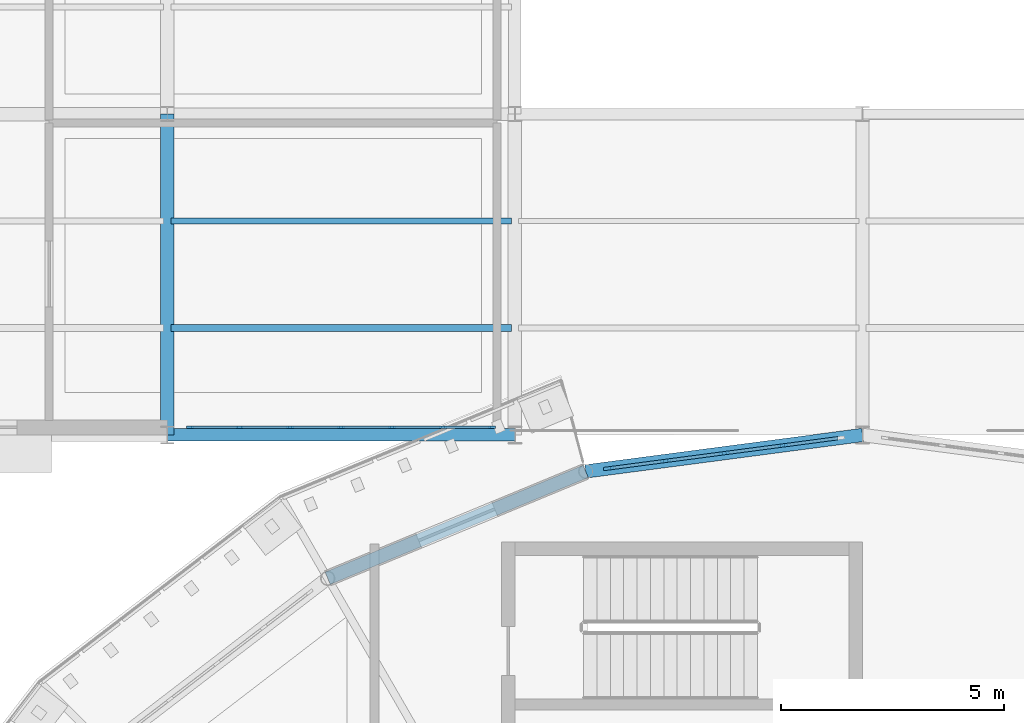
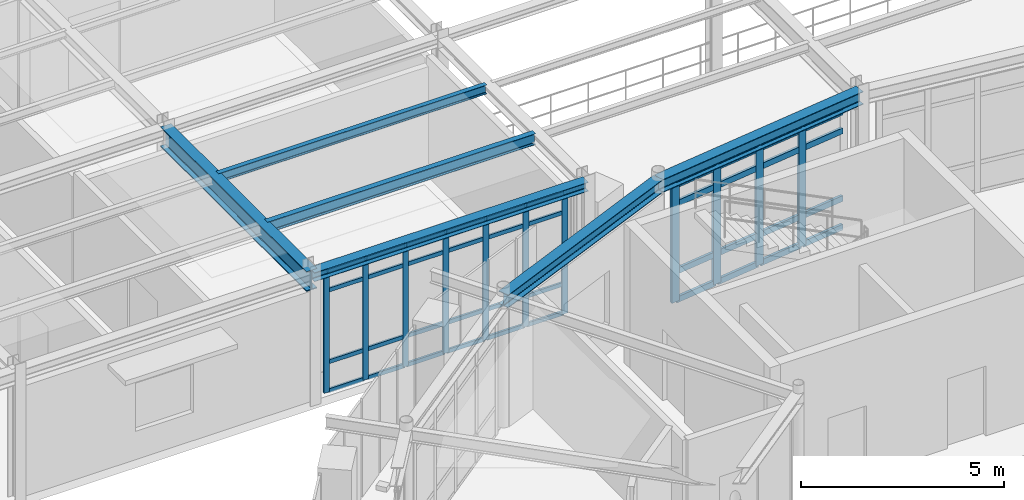
# One storey, part 50 of 90: 51 members, 6 beams, 2 elements without a shape of their own.
"""IFC4 building model written with IfcOpenShell, lengths in metres."""

from ifc_helpers import new_model, si_unit, derived_unit, direction, frame, origin, origin_2d, place, context, subcontext, project, spatial, rectangle, i_section, extrude, material, layer, layer_set, material_profile, profile_set, type_object, element, aggregate, save


model = new_model("IFC4")

# Units and contexts
model_context = context("Model", 3, precision=1e-05, world=origin(), true_north=direction((0.0, 1.0)))
body_context = subcontext(model_context, "Body", "Model", "MODEL_VIEW")
ifc_project = project(units=[si_unit("LENGTHUNIT", "METRE"), si_unit("AREAUNIT", "SQUARE_METRE"), si_unit("VOLUMEUNIT", "CUBIC_METRE"), si_unit("PLANEANGLEUNIT", "RADIAN"), si_unit("MASSUNIT", "GRAM", prefix="KILO"), derived_unit("THERMALTRANSMITTANCEUNIT", [(si_unit("POWERUNIT", "WATT"), 1), (si_unit("AREAUNIT", "SQUARE_METRE"), -1), (si_unit("THERMODYNAMICTEMPERATUREUNIT", "KELVIN"), -1)])], contexts=[model_context])

# Site, building, storey
site_placement = place(None, origin())
site = spatial("IfcSite", under=ifc_project, at=site_placement, CompositionType="ELEMENT")
building_placement = place(site_placement, origin())
building = spatial("IfcBuilding", under=site, at=building_placement, Name="Yasenodar Specialist Clinic", CompositionType="ELEMENT")
storey_placement = place(building_placement, frame((0.0, 0.0, 9.0)))
storey = spatial("IfcBuildingStorey", under=building, at=storey_placement, Name="L02", CompositionType="ELEMENT", Elevation=9.0)

# Beams
ifc_material_1 = material(Name="Steel S355", Category="steel")
ifc_material_profile_1 = material_profile(ifc_material_1, i_section(OverallWidth=0.280029296875, OverallDepth=0.27001953125, WebThickness=0.008056640625, FlangeThickness=0.012939453125, FilletRadius=0.02392578125, at=origin_2d()), Name="HEA 280")
ifc_profile_set_1 = profile_set([ifc_material_profile_1], Name="Steel S355")
beam_type_1 = type_object("IfcBeamType", Name="BM-HEA280", PredefinedType="BEAM", material=ifc_profile_set_1)
beam_1_placement = place(storey_placement, frame((65.39990234375, 82.800048828125, 3.81494140625), z_axis=(1.0, 0.0, 0.0), x_axis=(0.0, 1.0, 0.0)))
element("IfcBeam", 1, at=beam_1_placement, inside=storey, type_object=beam_type_1, Name="L02 Primary E-W Girder", PredefinedType="BEAM", context=body_context, shape_type="SweptSolid", body=[
    extrude(i_section(OverallWidth=0.280029296875, OverallDepth=0.27001953125, WebThickness=0.008056640625, FlangeThickness=0.012939453125, FilletRadius=0.02392578125, at=origin_2d()), origin(), (0.0, 0.0, 1.0), 7.800048828125),
])
ifc_material_profile_2 = material_profile(ifc_material_1, i_section(OverallWidth=0.300048828125, OverallDepth=0.389892578125, WebThickness=0.010986328125, FlangeThickness=0.01904296875, FilletRadius=0.027099609375, at=origin_2d()), Name="HEA 400")
ifc_profile_set_2 = profile_set([ifc_material_profile_2], Name="Steel S355")
beam_type_2 = type_object("IfcBeamType", Name="BM-HEA400", PredefinedType="BEAM", material=ifc_profile_set_2)
beam_2_placement = place(storey_placement, frame((81.0, 82.800048828125, 3.7548828125), z_axis=(-0.991443018138, -0.130540192224, 0.0), x_axis=(0.130540192224, -0.991443018138, 0.0)))
element("IfcBeam", 2, at=beam_2_placement, inside=storey, type_object=beam_type_2, Name="L02 Drum V1 Perimeter Ring Beam", PredefinedType="BEAM", context=body_context, shape_type="SweptSolid", body=[
    extrude(i_section(OverallWidth=0.300048828125, OverallDepth=0.389892578125, WebThickness=0.010986328125, FlangeThickness=0.01904296875, FilletRadius=0.027099609375, at=origin_2d()), origin(), (0.0, 0.0, 1.0), 6.265380859375),
])
beam_3_placement = place(storey_placement, frame((74.788330078125, 81.982177734375, 3.7548828125), z_axis=(-0.9238876519, -0.382663829839, 0.0), x_axis=(0.382663829839, -0.9238876519, 0.0)))
element("IfcBeam", 3, at=beam_3_placement, inside=storey, type_object=beam_type_2, Name="L02 Drum V1 Perimeter Ring Beam", PredefinedType="BEAM", context=body_context, shape_type="SweptSolid", body=[
    extrude(i_section(OverallWidth=0.300048828125, OverallDepth=0.389892578125, WebThickness=0.010986328125, FlangeThickness=0.01904296875, FilletRadius=0.027099609375, at=origin_2d()), origin(), (0.0, 0.0, 1.0), 6.26513671875),
])
ifc_material_profile_3 = material_profile(ifc_material_1, i_section(OverallWidth=0.300048828125, OverallDepth=0.60009765625, WebThickness=0.015380859375, FlangeThickness=0.030029296875, FilletRadius=0.027099609375, at=origin_2d()), Name="HEB 600")
ifc_profile_set_3 = profile_set([ifc_material_profile_3], Name="Steel S355")
beam_type_3 = type_object("IfcBeamType", Name="BM-HEB600", PredefinedType="BEAM", material=ifc_profile_set_3)
beam_4_placement = place(storey_placement, frame((65.39990234375, 82.800048828125, 3.64990234375), z_axis=(0.0, 1.0, 0.0), x_axis=(-1.0, 0.0, 0.0)))
element("IfcBeam", 4, at=beam_4_placement, inside=storey, type_object=beam_type_3, Name="L02 Primary N-S Girder", PredefinedType="BEAM", context=body_context, shape_type="SweptSolid", body=[
    extrude(i_section(OverallWidth=0.300048828125, OverallDepth=0.60009765625, WebThickness=0.015380859375, FlangeThickness=0.030029296875, FilletRadius=0.027099609375, at=origin_2d()), origin(), (0.0, 0.0, 1.0), 7.199951171875),
])

# Curtain wall, members
ifc_material_2 = material(Name="Bronze Anodized Aluminium and Triple Low-E Glass", Category="aluminium")
ifc_layer_1 = layer(ifc_material_2, 0.215087890625)
ifc_layer_set_1 = layer_set([ifc_layer_1], Name="Bronze Anodized Aluminium and Triple Low-E Glass")
curtain_wall_type_1 = type_object("IfcCurtainWallType", Name="CW-SYS-05", PredefinedType="USERDEFINED", material=ifc_layer_set_1)
curtain_wall_1_placement = place(storey_placement, origin())
curtain_wall_1 = element("IfcCurtainWall", 5, at=curtain_wall_1_placement, inside=storey, type_object=curtain_wall_type_1, Name="L02 Unitised Curtain Wall 156", ObjectType="UNITISED CURTAIN WALL", PredefinedType="USERDEFINED")
ifc_material_3 = material(Name="Bronze Anodized Aluminium", Category="aluminium")
ifc_material_profile_4 = material_profile(ifc_material_3, rectangle(XDim=0.06005859375, YDim=0.159912109375, at=origin_2d()), Name="CW-MULL 60x160")
ifc_profile_set_4 = profile_set([ifc_material_profile_4], Name="Bronze Anodized Aluminium")
member_type_1 = type_object("IfcMemberType", Name="CW-MULL-160", PredefinedType="MULLION", material=ifc_profile_set_4)
member_1_placement = place(storey_placement, frame((72.68994140625, 82.969970703125, 0.0), z_axis=(0.0, 0.0, 1.0), x_axis=(0.0, -1.0, 0.0)))
member_1 = element("IfcMember", 6, at=member_1_placement, type_object=member_type_1, Name="CW-05 mullion 1", PredefinedType="MULLION", context=body_context, shape_type="SweptSolid", body=[
    extrude(rectangle(XDim=0.06005859375, YDim=0.159912109375, at=origin_2d()), origin(), (0.0, 0.0, 1.0), 3.657958984375),
])
member_2_placement = place(storey_placement, frame((71.580078125, 82.969970703125, 0.0), z_axis=(0.0, 0.0, 1.0), x_axis=(0.0, -1.0, 0.0)))
member_2 = element("IfcMember", 7, at=member_2_placement, type_object=member_type_1, Name="CW-05 mullion 2", PredefinedType="MULLION", context=body_context, shape_type="SweptSolid", body=[
    extrude(rectangle(XDim=0.06005859375, YDim=0.159912109375, at=origin_2d()), origin(), (0.0, 0.0, 1.0), 3.657958984375),
])
member_3_placement = place(storey_placement, frame((70.43994140625, 82.969970703125, 0.0), z_axis=(0.0, 0.0, 1.0), x_axis=(0.0, -1.0, 0.0)))
member_3 = element("IfcMember", 8, at=member_3_placement, type_object=member_type_1, Name="CW-05 mullion 3", PredefinedType="MULLION", context=body_context, shape_type="SweptSolid", body=[
    extrude(rectangle(XDim=0.06005859375, YDim=0.159912109375, at=origin_2d()), origin(), (0.0, 0.0, 1.0), 3.657958984375),
])
member_4_placement = place(storey_placement, frame((69.300048828125, 82.969970703125, 0.0), z_axis=(0.0, 0.0, 1.0), x_axis=(0.0, -1.0, 0.0)))
member_4 = element("IfcMember", 9, at=member_4_placement, type_object=member_type_1, Name="CW-05 mullion 4", PredefinedType="MULLION", context=body_context, shape_type="SweptSolid", body=[
    extrude(rectangle(XDim=0.06005859375, YDim=0.159912109375, at=origin_2d()), origin(), (0.0, 0.0, 1.0), 3.657958984375),
])
member_5_placement = place(storey_placement, frame((68.159912109375, 82.969970703125, 0.0), z_axis=(0.0, 0.0, 1.0), x_axis=(0.0, -1.0, 0.0)))
member_5 = element("IfcMember", 10, at=member_5_placement, type_object=member_type_1, Name="CW-05 mullion 5", PredefinedType="MULLION", context=body_context, shape_type="SweptSolid", body=[
    extrude(rectangle(XDim=0.06005859375, YDim=0.159912109375, at=origin_2d()), origin(), (0.0, 0.0, 1.0), 3.657958984375),
])
member_6_placement = place(storey_placement, frame((67.02001953125, 82.969970703125, 0.0), z_axis=(0.0, 0.0, 1.0), x_axis=(0.0, -1.0, 0.0)))
member_6 = element("IfcMember", 11, at=member_6_placement, type_object=member_type_1, Name="CW-05 mullion 6", PredefinedType="MULLION", context=body_context, shape_type="SweptSolid", body=[
    extrude(rectangle(XDim=0.06005859375, YDim=0.159912109375, at=origin_2d()), origin(), (0.0, 0.0, 1.0), 3.657958984375),
])
member_7_placement = place(storey_placement, frame((65.909912109375, 82.969970703125, 0.0), z_axis=(0.0, 0.0, 1.0), x_axis=(0.0, -1.0, 0.0)))
member_7 = element("IfcMember", 12, at=member_7_placement, type_object=member_type_1, Name="CW-05 mullion 7", PredefinedType="MULLION", context=body_context, shape_type="SweptSolid", body=[
    extrude(rectangle(XDim=0.06005859375, YDim=0.159912109375, at=origin_2d()), origin(), (0.0, 0.0, 1.0), 3.657958984375),
])

ifc_layer_2 = layer(ifc_material_2, 0.1669921875)
ifc_layer_set_2 = layer_set([ifc_layer_2], Name="Bronze Anodized Aluminium and Triple Low-E Glass")
curtain_wall_type_2 = type_object("IfcCurtainWallType", Name="CW-SYS-01", PredefinedType="USERDEFINED", material=ifc_layer_set_2)
curtain_wall_2_placement = place(storey_placement, origin())
curtain_wall_2 = element("IfcCurtainWall", 13, at=curtain_wall_2_placement, inside=storey, type_object=curtain_wall_type_2, Name="L02 Unitised Curtain Wall 030", ObjectType="UNITISED CURTAIN WALL", PredefinedType="USERDEFINED")
ifc_material_profile_5 = material_profile(ifc_material_3, rectangle(XDim=0.074951171875, YDim=0.22509765625, at=origin_2d()), Name="CW-MULL 75x225")
ifc_profile_set_5 = profile_set([ifc_material_profile_5], Name="Bronze Anodized Aluminium")
member_type_2 = type_object("IfcMemberType", Name="CW-MULL-225", PredefinedType="MULLION", material=ifc_profile_set_5)
member_8_placement = place(storey_placement, frame((75.30126953125, 82.0498046875, 0.0), z_axis=(0.0, 0.0, 1.0), x_axis=(-0.13051156024, 0.991446787601, 0.0)))
member_8 = element("IfcMember", 14, at=member_8_placement, type_object=member_type_2, Name="CW-01 mullion 1", PredefinedType="MULLION", context=body_context, shape_type="SweptSolid", body=[
    extrude(rectangle(XDim=0.074951171875, YDim=0.22509765625, at=origin_2d()), origin(), (0.0, 0.0, 1.0), 3.5380859375),
])
member_9_placement = place(storey_placement, frame((76.5791015625, 82.218017578125, 0.0), z_axis=(0.0, 0.0, 1.0), x_axis=(-0.13051156024, 0.991446787601, 0.0)))
member_9 = element("IfcMember", 15, at=member_9_placement, type_object=member_type_2, Name="CW-01 mullion 2", PredefinedType="MULLION", context=body_context, shape_type="SweptSolid", body=[
    extrude(rectangle(XDim=0.074951171875, YDim=0.22509765625, at=origin_2d()), origin(), (0.0, 0.0, 1.0), 3.5380859375),
])
member_10_placement = place(storey_placement, frame((77.89404296875, 82.39111328125, 0.0), z_axis=(0.0, 0.0, 1.0), x_axis=(-0.13051156024, 0.991446787601, 0.0)))
member_10 = element("IfcMember", 16, at=member_10_placement, type_object=member_type_2, Name="CW-01 mullion 3", PredefinedType="MULLION", context=body_context, shape_type="SweptSolid", body=[
    extrude(rectangle(XDim=0.074951171875, YDim=0.22509765625, at=origin_2d()), origin(), (0.0, 0.0, 1.0), 3.5380859375),
])
member_11_placement = place(storey_placement, frame((79.209228515625, 82.564208984375, 0.0), z_axis=(0.0, 0.0, 1.0), x_axis=(-0.13051156024, 0.991446787601, 0.0)))
member_11 = element("IfcMember", 17, at=member_11_placement, type_object=member_type_2, Name="CW-01 mullion 4", PredefinedType="MULLION", context=body_context, shape_type="SweptSolid", body=[
    extrude(rectangle(XDim=0.074951171875, YDim=0.22509765625, at=origin_2d()), origin(), (0.0, 0.0, 1.0), 3.5380859375),
])

# Member
ifc_material_profile_6 = material_profile(ifc_material_3, rectangle(XDim=0.06005859375, YDim=0.1201171875, at=origin_2d()), Name="CW-TRAN 60x120")
ifc_profile_set_6 = profile_set([ifc_material_profile_6], Name="Bronze Anodized Aluminium")
member_type_3 = type_object("IfcMemberType", Name="CW-TRAN-120", PredefinedType="USERDEFINED", material=ifc_profile_set_6)
member_12_placement = place(storey_placement, frame((72.659912109375, 82.969970703125, 0.030029296875), z_axis=(-1.0, 0.0, 0.0), x_axis=(0.0, -1.0, 0.0)))
member_12 = element("IfcMember", 18, at=member_12_placement, type_object=member_type_3, Name="CW-05 transom 1.1", ObjectType="TRANSOM", PredefinedType="USERDEFINED", context=body_context, shape_type="SweptSolid", body=[
    extrude(rectangle(XDim=0.06005859375, YDim=0.1201171875, at=origin_2d()), origin(), (0.0, 0.0, 1.0), 1.0498046875),
])

member_13_placement = place(storey_placement, frame((72.659912109375, 82.969970703125, 0.89990234375), z_axis=(-1.0, 0.0, 0.0), x_axis=(0.0, -1.0, 0.0)))
member_13 = element("IfcMember", 19, at=member_13_placement, type_object=member_type_3, Name="CW-05 transom 1.2", ObjectType="TRANSOM", PredefinedType="USERDEFINED", context=body_context, shape_type="SweptSolid", body=[
    extrude(rectangle(XDim=0.06005859375, YDim=0.1201171875, at=origin_2d()), origin(), (0.0, 0.0, 1.0), 1.0498046875),
])

member_14_placement = place(storey_placement, frame((72.659912109375, 82.969970703125, 3.05810546875), z_axis=(-1.0, 0.0, 0.0), x_axis=(0.0, -1.0, 0.0)))
member_14 = element("IfcMember", 20, at=member_14_placement, type_object=member_type_3, Name="CW-05 transom 1.3", ObjectType="TRANSOM", PredefinedType="USERDEFINED", context=body_context, shape_type="SweptSolid", body=[
    extrude(rectangle(XDim=0.06005859375, YDim=0.1201171875, at=origin_2d()), origin(), (0.0, 0.0, 1.0), 1.0498046875),
])

member_15_placement = place(storey_placement, frame((72.659912109375, 82.969970703125, 3.6279296875), z_axis=(-1.0, 0.0, 0.0), x_axis=(0.0, -1.0, 0.0)))
member_15 = element("IfcMember", 21, at=member_15_placement, type_object=member_type_3, Name="CW-05 transom 1.4", ObjectType="TRANSOM", PredefinedType="USERDEFINED", context=body_context, shape_type="SweptSolid", body=[
    extrude(rectangle(XDim=0.06005859375, YDim=0.1201171875, at=origin_2d()), origin(), (0.0, 0.0, 1.0), 1.0498046875),
])

member_16_placement = place(storey_placement, frame((71.550048828125, 82.969970703125, 0.030029296875), z_axis=(-1.0, 0.0, 0.0), x_axis=(0.0, -1.0, 0.0)))
member_16 = element("IfcMember", 22, at=member_16_placement, type_object=member_type_3, Name="CW-05 transom 2.1", ObjectType="TRANSOM", PredefinedType="USERDEFINED", context=body_context, shape_type="SweptSolid", body=[
    extrude(rectangle(XDim=0.06005859375, YDim=0.1201171875, at=origin_2d()), origin(), (0.0, 0.0, 1.0), 1.080078125),
])

member_17_placement = place(storey_placement, frame((71.550048828125, 82.969970703125, 0.89990234375), z_axis=(-1.0, 0.0, 0.0), x_axis=(0.0, -1.0, 0.0)))
member_17 = element("IfcMember", 23, at=member_17_placement, type_object=member_type_3, Name="CW-05 transom 2.2", ObjectType="TRANSOM", PredefinedType="USERDEFINED", context=body_context, shape_type="SweptSolid", body=[
    extrude(rectangle(XDim=0.06005859375, YDim=0.1201171875, at=origin_2d()), origin(), (0.0, 0.0, 1.0), 1.080078125),
])

member_18_placement = place(storey_placement, frame((71.550048828125, 82.969970703125, 3.05810546875), z_axis=(-1.0, 0.0, 0.0), x_axis=(0.0, -1.0, 0.0)))
member_18 = element("IfcMember", 24, at=member_18_placement, type_object=member_type_3, Name="CW-05 transom 2.3", ObjectType="TRANSOM", PredefinedType="USERDEFINED", context=body_context, shape_type="SweptSolid", body=[
    extrude(rectangle(XDim=0.06005859375, YDim=0.1201171875, at=origin_2d()), origin(), (0.0, 0.0, 1.0), 1.080078125),
])

member_19_placement = place(storey_placement, frame((71.550048828125, 82.969970703125, 3.6279296875), z_axis=(-1.0, 0.0, 0.0), x_axis=(0.0, -1.0, 0.0)))
member_19 = element("IfcMember", 25, at=member_19_placement, type_object=member_type_3, Name="CW-05 transom 2.4", ObjectType="TRANSOM", PredefinedType="USERDEFINED", context=body_context, shape_type="SweptSolid", body=[
    extrude(rectangle(XDim=0.06005859375, YDim=0.1201171875, at=origin_2d()), origin(), (0.0, 0.0, 1.0), 1.080078125),
])

member_20_placement = place(storey_placement, frame((70.409912109375, 82.969970703125, 0.030029296875), z_axis=(-1.0, 0.0, 0.0), x_axis=(0.0, -1.0, 0.0)))
member_20 = element("IfcMember", 26, at=member_20_placement, type_object=member_type_3, Name="CW-05 transom 3.1", ObjectType="TRANSOM", PredefinedType="USERDEFINED", context=body_context, shape_type="SweptSolid", body=[
    extrude(rectangle(XDim=0.06005859375, YDim=0.1201171875, at=origin_2d()), origin(), (0.0, 0.0, 1.0), 1.079833984375),
])

member_21_placement = place(storey_placement, frame((70.409912109375, 82.969970703125, 0.89990234375), z_axis=(-1.0, 0.0, 0.0), x_axis=(0.0, -1.0, 0.0)))
member_21 = element("IfcMember", 27, at=member_21_placement, type_object=member_type_3, Name="CW-05 transom 3.2", ObjectType="TRANSOM", PredefinedType="USERDEFINED", context=body_context, shape_type="SweptSolid", body=[
    extrude(rectangle(XDim=0.06005859375, YDim=0.1201171875, at=origin_2d()), origin(), (0.0, 0.0, 1.0), 1.079833984375),
])

member_22_placement = place(storey_placement, frame((70.409912109375, 82.969970703125, 3.05810546875), z_axis=(-1.0, 0.0, 0.0), x_axis=(0.0, -1.0, 0.0)))
member_22 = element("IfcMember", 28, at=member_22_placement, type_object=member_type_3, Name="CW-05 transom 3.3", ObjectType="TRANSOM", PredefinedType="USERDEFINED", context=body_context, shape_type="SweptSolid", body=[
    extrude(rectangle(XDim=0.06005859375, YDim=0.1201171875, at=origin_2d()), origin(), (0.0, 0.0, 1.0), 1.079833984375),
])

member_23_placement = place(storey_placement, frame((70.409912109375, 82.969970703125, 3.6279296875), z_axis=(-1.0, 0.0, 0.0), x_axis=(0.0, -1.0, 0.0)))
member_23 = element("IfcMember", 29, at=member_23_placement, type_object=member_type_3, Name="CW-05 transom 3.4", ObjectType="TRANSOM", PredefinedType="USERDEFINED", context=body_context, shape_type="SweptSolid", body=[
    extrude(rectangle(XDim=0.06005859375, YDim=0.1201171875, at=origin_2d()), origin(), (0.0, 0.0, 1.0), 1.079833984375),
])

member_24_placement = place(storey_placement, frame((69.27001953125, 82.969970703125, 0.030029296875), z_axis=(-1.0, 0.0, 0.0), x_axis=(0.0, -1.0, 0.0)))
member_24 = element("IfcMember", 30, at=member_24_placement, type_object=member_type_3, Name="CW-05 transom 4.1", ObjectType="TRANSOM", PredefinedType="USERDEFINED", context=body_context, shape_type="SweptSolid", body=[
    extrude(rectangle(XDim=0.06005859375, YDim=0.1201171875, at=origin_2d()), origin(), (0.0, 0.0, 1.0), 1.080078125),
])

member_25_placement = place(storey_placement, frame((69.27001953125, 82.969970703125, 0.89990234375), z_axis=(-1.0, 0.0, 0.0), x_axis=(0.0, -1.0, 0.0)))
member_25 = element("IfcMember", 31, at=member_25_placement, type_object=member_type_3, Name="CW-05 transom 4.2", ObjectType="TRANSOM", PredefinedType="USERDEFINED", context=body_context, shape_type="SweptSolid", body=[
    extrude(rectangle(XDim=0.06005859375, YDim=0.1201171875, at=origin_2d()), origin(), (0.0, 0.0, 1.0), 1.080078125),
])

member_26_placement = place(storey_placement, frame((69.27001953125, 82.969970703125, 3.05810546875), z_axis=(-1.0, 0.0, 0.0), x_axis=(0.0, -1.0, 0.0)))
member_26 = element("IfcMember", 32, at=member_26_placement, type_object=member_type_3, Name="CW-05 transom 4.3", ObjectType="TRANSOM", PredefinedType="USERDEFINED", context=body_context, shape_type="SweptSolid", body=[
    extrude(rectangle(XDim=0.06005859375, YDim=0.1201171875, at=origin_2d()), origin(), (0.0, 0.0, 1.0), 1.080078125),
])

member_27_placement = place(storey_placement, frame((69.27001953125, 82.969970703125, 3.6279296875), z_axis=(-1.0, 0.0, 0.0), x_axis=(0.0, -1.0, 0.0)))
member_27 = element("IfcMember", 33, at=member_27_placement, type_object=member_type_3, Name="CW-05 transom 4.4", ObjectType="TRANSOM", PredefinedType="USERDEFINED", context=body_context, shape_type="SweptSolid", body=[
    extrude(rectangle(XDim=0.06005859375, YDim=0.1201171875, at=origin_2d()), origin(), (0.0, 0.0, 1.0), 1.080078125),
])

member_28_placement = place(storey_placement, frame((68.1298828125, 82.969970703125, 0.030029296875), z_axis=(-1.0, 0.0, 0.0), x_axis=(0.0, -1.0, 0.0)))
member_28 = element("IfcMember", 34, at=member_28_placement, type_object=member_type_3, Name="CW-05 transom 5.1", ObjectType="TRANSOM", PredefinedType="USERDEFINED", context=body_context, shape_type="SweptSolid", body=[
    extrude(rectangle(XDim=0.06005859375, YDim=0.1201171875, at=origin_2d()), origin(), (0.0, 0.0, 1.0), 1.079833984375),
])

member_29_placement = place(storey_placement, frame((68.1298828125, 82.969970703125, 0.89990234375), z_axis=(-1.0, 0.0, 0.0), x_axis=(0.0, -1.0, 0.0)))
member_29 = element("IfcMember", 35, at=member_29_placement, type_object=member_type_3, Name="CW-05 transom 5.2", ObjectType="TRANSOM", PredefinedType="USERDEFINED", context=body_context, shape_type="SweptSolid", body=[
    extrude(rectangle(XDim=0.06005859375, YDim=0.1201171875, at=origin_2d()), origin(), (0.0, 0.0, 1.0), 1.079833984375),
])

member_30_placement = place(storey_placement, frame((68.1298828125, 82.969970703125, 3.05810546875), z_axis=(-1.0, 0.0, 0.0), x_axis=(0.0, -1.0, 0.0)))
member_30 = element("IfcMember", 36, at=member_30_placement, type_object=member_type_3, Name="CW-05 transom 5.3", ObjectType="TRANSOM", PredefinedType="USERDEFINED", context=body_context, shape_type="SweptSolid", body=[
    extrude(rectangle(XDim=0.06005859375, YDim=0.1201171875, at=origin_2d()), origin(), (0.0, 0.0, 1.0), 1.079833984375),
])

member_31_placement = place(storey_placement, frame((68.1298828125, 82.969970703125, 3.6279296875), z_axis=(-1.0, 0.0, 0.0), x_axis=(0.0, -1.0, 0.0)))
member_31 = element("IfcMember", 37, at=member_31_placement, type_object=member_type_3, Name="CW-05 transom 5.4", ObjectType="TRANSOM", PredefinedType="USERDEFINED", context=body_context, shape_type="SweptSolid", body=[
    extrude(rectangle(XDim=0.06005859375, YDim=0.1201171875, at=origin_2d()), origin(), (0.0, 0.0, 1.0), 1.079833984375),
])

member_32_placement = place(storey_placement, frame((66.989990234375, 82.969970703125, 0.030029296875), z_axis=(-1.0, 0.0, 0.0), x_axis=(0.0, -1.0, 0.0)))
member_32 = element("IfcMember", 38, at=member_32_placement, type_object=member_type_3, Name="CW-05 transom 6.1", ObjectType="TRANSOM", PredefinedType="USERDEFINED", context=body_context, shape_type="SweptSolid", body=[
    extrude(rectangle(XDim=0.06005859375, YDim=0.1201171875, at=origin_2d()), origin(), (0.0, 0.0, 1.0), 1.050048828125),
])

member_33_placement = place(storey_placement, frame((66.989990234375, 82.969970703125, 0.89990234375), z_axis=(-1.0, 0.0, 0.0), x_axis=(0.0, -1.0, 0.0)))
member_33 = element("IfcMember", 39, at=member_33_placement, type_object=member_type_3, Name="CW-05 transom 6.2", ObjectType="TRANSOM", PredefinedType="USERDEFINED", context=body_context, shape_type="SweptSolid", body=[
    extrude(rectangle(XDim=0.06005859375, YDim=0.1201171875, at=origin_2d()), origin(), (0.0, 0.0, 1.0), 1.050048828125),
])

member_34_placement = place(storey_placement, frame((66.989990234375, 82.969970703125, 3.05810546875), z_axis=(-1.0, 0.0, 0.0), x_axis=(0.0, -1.0, 0.0)))
member_34 = element("IfcMember", 40, at=member_34_placement, type_object=member_type_3, Name="CW-05 transom 6.3", ObjectType="TRANSOM", PredefinedType="USERDEFINED", context=body_context, shape_type="SweptSolid", body=[
    extrude(rectangle(XDim=0.06005859375, YDim=0.1201171875, at=origin_2d()), origin(), (0.0, 0.0, 1.0), 1.050048828125),
])

member_35_placement = place(storey_placement, frame((66.989990234375, 82.969970703125, 3.6279296875), z_axis=(-1.0, 0.0, 0.0), x_axis=(0.0, -1.0, 0.0)))
member_35 = element("IfcMember", 41, at=member_35_placement, type_object=member_type_3, Name="CW-05 transom 6.4", ObjectType="TRANSOM", PredefinedType="USERDEFINED", context=body_context, shape_type="SweptSolid", body=[
    extrude(rectangle(XDim=0.06005859375, YDim=0.1201171875, at=origin_2d()), origin(), (0.0, 0.0, 1.0), 1.050048828125),
])

aggregate(curtain_wall_1, [member_1, member_2, member_3, member_4, member_5, member_6, member_7, member_12, member_13, member_14, member_15, member_16, member_17, member_18, member_19, member_20, member_21, member_22, member_23, member_24, member_25, member_26, member_27, member_28, member_29, member_30, member_31, member_32, member_33, member_34, member_35])

ifc_material_profile_7 = material_profile(ifc_material_3, rectangle(XDim=0.074951171875, YDim=0.175048828125, at=origin_2d()), Name="CW-TRAN 75x175")
ifc_profile_set_7 = profile_set([ifc_material_profile_7], Name="Bronze Anodized Aluminium")
member_type_4 = type_object("IfcMemberType", Name="CW-TRAN-175", PredefinedType="USERDEFINED", material=ifc_profile_set_7)
member_36_placement = place(storey_placement, frame((75.338623046875, 82.0546875, 0.03759765625), z_axis=(0.991442652858, 0.130542966465, 0.0), x_axis=(-0.130542966465, 0.991442652858, 0.0)))
member_36 = element("IfcMember", 42, at=member_36_placement, type_object=member_type_4, Name="CW-01 transom 1.1", ObjectType="TRANSOM", PredefinedType="USERDEFINED", context=body_context, shape_type="SweptSolid", body=[
    extrude(rectangle(XDim=0.074951171875, YDim=0.175048828125, at=origin_2d()), origin(), (0.0, 0.0, 1.0), 1.2138671875),
])

member_37_placement = place(storey_placement, frame((75.338623046875, 82.0546875, 0.89990234375), z_axis=(0.991442652858, 0.130542966465, 0.0), x_axis=(-0.130542966465, 0.991442652858, 0.0)))
member_37 = element("IfcMember", 43, at=member_37_placement, type_object=member_type_4, Name="CW-01 transom 1.2", ObjectType="TRANSOM", PredefinedType="USERDEFINED", context=body_context, shape_type="SweptSolid", body=[
    extrude(rectangle(XDim=0.074951171875, YDim=0.175048828125, at=origin_2d()), origin(), (0.0, 0.0, 1.0), 1.2138671875),
])

member_38_placement = place(storey_placement, frame((75.338623046875, 82.0546875, 2.93798828125), z_axis=(0.991442652858, 0.130542966465, 0.0), x_axis=(-0.130542966465, 0.991442652858, 0.0)))
member_38 = element("IfcMember", 44, at=member_38_placement, type_object=member_type_4, Name="CW-01 transom 1.3", ObjectType="TRANSOM", PredefinedType="USERDEFINED", context=body_context, shape_type="SweptSolid", body=[
    extrude(rectangle(XDim=0.074951171875, YDim=0.175048828125, at=origin_2d()), origin(), (0.0, 0.0, 1.0), 1.2138671875),
])

member_39_placement = place(storey_placement, frame((75.338623046875, 82.0546875, 3.50048828125), z_axis=(0.991442652858, 0.130542966465, 0.0), x_axis=(-0.130542966465, 0.991442652858, 0.0)))
member_39 = element("IfcMember", 45, at=member_39_placement, type_object=member_type_4, Name="CW-01 transom 1.4", ObjectType="TRANSOM", PredefinedType="USERDEFINED", context=body_context, shape_type="SweptSolid", body=[
    extrude(rectangle(XDim=0.074951171875, YDim=0.175048828125, at=origin_2d()), origin(), (0.0, 0.0, 1.0), 1.2138671875),
])

member_40_placement = place(storey_placement, frame((76.616455078125, 82.222900390625, 0.03759765625), z_axis=(0.991443001264, 0.130540320379, 0.0), x_axis=(-0.130540320379, 0.991443001264, 0.0)))
member_40 = element("IfcMember", 46, at=member_40_placement, type_object=member_type_4, Name="CW-01 transom 2.1", ObjectType="TRANSOM", PredefinedType="USERDEFINED", context=body_context, shape_type="SweptSolid", body=[
    extrude(rectangle(XDim=0.074951171875, YDim=0.175048828125, at=origin_2d()), origin(), (0.0, 0.0, 1.0), 1.251220703125),
])

member_41_placement = place(storey_placement, frame((76.616455078125, 82.222900390625, 0.89990234375), z_axis=(0.991443001264, 0.130540320379, 0.0), x_axis=(-0.130540320379, 0.991443001264, 0.0)))
member_41 = element("IfcMember", 47, at=member_41_placement, type_object=member_type_4, Name="CW-01 transom 2.2", ObjectType="TRANSOM", PredefinedType="USERDEFINED", context=body_context, shape_type="SweptSolid", body=[
    extrude(rectangle(XDim=0.074951171875, YDim=0.175048828125, at=origin_2d()), origin(), (0.0, 0.0, 1.0), 1.251220703125),
])

member_42_placement = place(storey_placement, frame((76.616455078125, 82.222900390625, 2.93798828125), z_axis=(0.991443001264, 0.130540320379, 0.0), x_axis=(-0.130540320379, 0.991443001264, 0.0)))
member_42 = element("IfcMember", 48, at=member_42_placement, type_object=member_type_4, Name="CW-01 transom 2.3", ObjectType="TRANSOM", PredefinedType="USERDEFINED", context=body_context, shape_type="SweptSolid", body=[
    extrude(rectangle(XDim=0.074951171875, YDim=0.175048828125, at=origin_2d()), origin(), (0.0, 0.0, 1.0), 1.251220703125),
])

member_43_placement = place(storey_placement, frame((76.616455078125, 82.222900390625, 3.50048828125), z_axis=(0.991443001264, 0.130540320379, 0.0), x_axis=(-0.130540320379, 0.991443001264, 0.0)))
member_43 = element("IfcMember", 49, at=member_43_placement, type_object=member_type_4, Name="CW-01 transom 2.4", ObjectType="TRANSOM", PredefinedType="USERDEFINED", context=body_context, shape_type="SweptSolid", body=[
    extrude(rectangle(XDim=0.074951171875, YDim=0.175048828125, at=origin_2d()), origin(), (0.0, 0.0, 1.0), 1.251220703125),
])

member_44_placement = place(storey_placement, frame((77.931396484375, 82.39599609375, 0.03759765625), z_axis=(0.991443001264, 0.130540320379, 0.0), x_axis=(-0.130540320379, 0.991443001264, 0.0)))
member_44 = element("IfcMember", 50, at=member_44_placement, type_object=member_type_4, Name="CW-01 transom 3.1", ObjectType="TRANSOM", PredefinedType="USERDEFINED", context=body_context, shape_type="SweptSolid", body=[
    extrude(rectangle(XDim=0.074951171875, YDim=0.175048828125, at=origin_2d()), origin(), (0.0, 0.0, 1.0), 1.251220703125),
])

member_45_placement = place(storey_placement, frame((77.931396484375, 82.39599609375, 0.89990234375), z_axis=(0.991443001264, 0.130540320379, 0.0), x_axis=(-0.130540320379, 0.991443001264, 0.0)))
member_45 = element("IfcMember", 51, at=member_45_placement, type_object=member_type_4, Name="CW-01 transom 3.2", ObjectType="TRANSOM", PredefinedType="USERDEFINED", context=body_context, shape_type="SweptSolid", body=[
    extrude(rectangle(XDim=0.074951171875, YDim=0.175048828125, at=origin_2d()), origin(), (0.0, 0.0, 1.0), 1.251220703125),
])

member_46_placement = place(storey_placement, frame((77.931396484375, 82.39599609375, 2.93798828125), z_axis=(0.991443001264, 0.130540320379, 0.0), x_axis=(-0.130540320379, 0.991443001264, 0.0)))
member_46 = element("IfcMember", 52, at=member_46_placement, type_object=member_type_4, Name="CW-01 transom 3.3", ObjectType="TRANSOM", PredefinedType="USERDEFINED", context=body_context, shape_type="SweptSolid", body=[
    extrude(rectangle(XDim=0.074951171875, YDim=0.175048828125, at=origin_2d()), origin(), (0.0, 0.0, 1.0), 1.251220703125),
])

member_47_placement = place(storey_placement, frame((77.931396484375, 82.39599609375, 3.50048828125), z_axis=(0.991443001264, 0.130540320379, 0.0), x_axis=(-0.130540320379, 0.991443001264, 0.0)))
member_47 = element("IfcMember", 53, at=member_47_placement, type_object=member_type_4, Name="CW-01 transom 3.4", ObjectType="TRANSOM", PredefinedType="USERDEFINED", context=body_context, shape_type="SweptSolid", body=[
    extrude(rectangle(XDim=0.074951171875, YDim=0.175048828125, at=origin_2d()), origin(), (0.0, 0.0, 1.0), 1.251220703125),
])

member_48_placement = place(storey_placement, frame((79.246337890625, 82.569091796875, 0.03759765625), z_axis=(0.991442652858, 0.130542966465, 0.0), x_axis=(-0.130542966465, 0.991442652858, 0.0)))
member_48 = element("IfcMember", 54, at=member_48_placement, type_object=member_type_4, Name="CW-01 transom 4.1", ObjectType="TRANSOM", PredefinedType="USERDEFINED", context=body_context, shape_type="SweptSolid", body=[
    extrude(rectangle(XDim=0.074951171875, YDim=0.175048828125, at=origin_2d()), origin(), (0.0, 0.0, 1.0), 1.2138671875),
])

member_49_placement = place(storey_placement, frame((79.246337890625, 82.569091796875, 0.89990234375), z_axis=(0.991442652858, 0.130542966465, 0.0), x_axis=(-0.130542966465, 0.991442652858, 0.0)))
member_49 = element("IfcMember", 55, at=member_49_placement, type_object=member_type_4, Name="CW-01 transom 4.2", ObjectType="TRANSOM", PredefinedType="USERDEFINED", context=body_context, shape_type="SweptSolid", body=[
    extrude(rectangle(XDim=0.074951171875, YDim=0.175048828125, at=origin_2d()), origin(), (0.0, 0.0, 1.0), 1.2138671875),
])

member_50_placement = place(storey_placement, frame((79.246337890625, 82.569091796875, 2.93798828125), z_axis=(0.991442652858, 0.130542966465, 0.0), x_axis=(-0.130542966465, 0.991442652858, 0.0)))
member_50 = element("IfcMember", 56, at=member_50_placement, type_object=member_type_4, Name="CW-01 transom 4.3", ObjectType="TRANSOM", PredefinedType="USERDEFINED", context=body_context, shape_type="SweptSolid", body=[
    extrude(rectangle(XDim=0.074951171875, YDim=0.175048828125, at=origin_2d()), origin(), (0.0, 0.0, 1.0), 1.2138671875),
])

member_51_placement = place(storey_placement, frame((79.246337890625, 82.569091796875, 3.50048828125), z_axis=(0.991442652858, 0.130542966465, 0.0), x_axis=(-0.130542966465, 0.991442652858, 0.0)))
member_51 = element("IfcMember", 57, at=member_51_placement, type_object=member_type_4, Name="CW-01 transom 4.4", ObjectType="TRANSOM", PredefinedType="USERDEFINED", context=body_context, shape_type="SweptSolid", body=[
    extrude(rectangle(XDim=0.074951171875, YDim=0.175048828125, at=origin_2d()), origin(), (0.0, 0.0, 1.0), 1.2138671875),
])

aggregate(curtain_wall_2, [member_8, member_9, member_10, member_11, member_36, member_37, member_38, member_39, member_40, member_41, member_42, member_43, member_44, member_45, member_46, member_47, member_48, member_49, member_50, member_51])

# Beams
ifc_material_profile_8 = material_profile(ifc_material_1, i_section(OverallWidth=0.135009765625, OverallDepth=0.27001953125, WebThickness=0.006591796875, FlangeThickness=0.01025390625, FilletRadius=0.014892578125, at=origin_2d()), Name="IPE 270")
ifc_profile_set_8 = profile_set([ifc_material_profile_8], Name="Steel S355")
beam_type_4 = type_object("IfcBeamType", Name="JS-IPE270", PredefinedType="JOIST", material=ifc_profile_set_8)
beam_5_placement = place(storey_placement, frame((65.47998046875, 87.60009765625, 3.81494140625), z_axis=(1.0, 0.0, 0.0), x_axis=(0.0, 1.0, 0.0)))
element("IfcBeam", 58, at=beam_5_placement, inside=storey, type_object=beam_type_4, Name="L02 Composite Floor Joist", PredefinedType="JOIST", context=body_context, shape_type="SweptSolid", body=[
    extrude(i_section(OverallWidth=0.135009765625, OverallDepth=0.27001953125, WebThickness=0.006591796875, FlangeThickness=0.01025390625, FilletRadius=0.014892578125, at=origin_2d()), origin(), (0.0, 0.0, 1.0), 7.64013671875),
])
ifc_material_profile_9 = material_profile(ifc_material_1, i_section(OverallWidth=0.159912109375, OverallDepth=0.330078125, WebThickness=0.007568359375, FlangeThickness=0.011474609375, FilletRadius=0.01806640625, at=origin_2d()), Name="IPE 330")
ifc_profile_set_9 = profile_set([ifc_material_profile_9], Name="Steel S355")
beam_type_5 = type_object("IfcBeamType", Name="JS-IPE330", PredefinedType="JOIST", material=ifc_profile_set_9)
beam_6_placement = place(storey_placement, frame((65.47998046875, 85.199951171875, 3.784912109375), z_axis=(1.0, 0.0, 0.0), x_axis=(0.0, 1.0, 0.0)))
element("IfcBeam", 59, at=beam_6_placement, inside=storey, type_object=beam_type_5, Name="L02 Composite Floor Joist", PredefinedType="JOIST", context=body_context, shape_type="SweptSolid", body=[
    extrude(i_section(OverallWidth=0.159912109375, OverallDepth=0.330078125, WebThickness=0.007568359375, FlangeThickness=0.011474609375, FilletRadius=0.01806640625, at=origin_2d()), origin(), (0.0, 0.0, 1.0), 7.64013671875),
])

save(model, "model.ifc")
